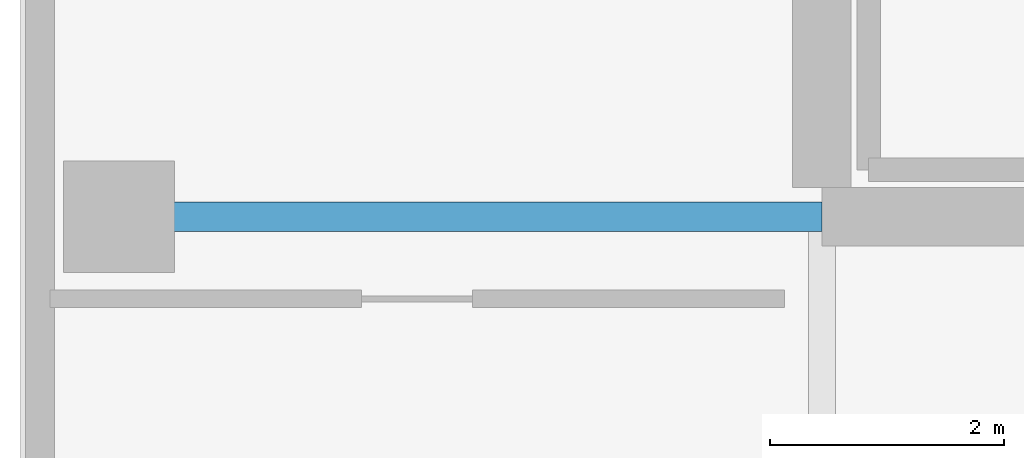
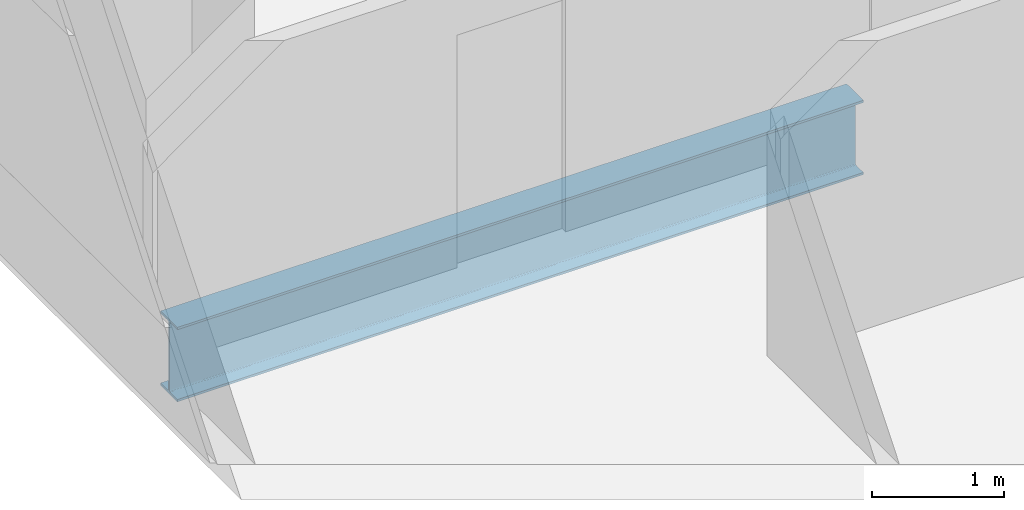
# One storey, part 4 of 39: 1 beam.
"""IFC4 building model written with IfcOpenShell, lengths in metres."""

from ifc_helpers import new_model, si_unit, direction, frame, origin, origin_2d, place, context, subcontext, project, spatial, i_section, extrude, material, material_profile, profile_set, type_object, element, save


model = new_model("IFC4")

# Units and contexts
model_context = context("Model", 3, precision=1e-05, world=origin(), true_north=direction((0.0, 1.0)))
body_context = subcontext(model_context, "Body", "Model", "MODEL_VIEW")
ifc_project = project(units=[si_unit("LENGTHUNIT", "METRE"), si_unit("AREAUNIT", "SQUARE_METRE"), si_unit("VOLUMEUNIT", "CUBIC_METRE"), si_unit("PLANEANGLEUNIT", "RADIAN"), si_unit("MASSUNIT", "GRAM", prefix="KILO")], contexts=[model_context])

# Site, building, storey
site_placement = place(None, origin())
site = spatial("IfcSite", under=ifc_project, at=site_placement, CompositionType="ELEMENT")
building_placement = place(site_placement, origin())
building = spatial("IfcBuilding", under=site, at=building_placement, Name="Tanjung Sevakor Pilgrim Tower", CompositionType="ELEMENT")
storey_placement = place(building_placement, frame((0.0, 0.0, 112.199951171875)))
storey = spatial("IfcBuildingStorey", under=building, at=storey_placement, Name="L31", CompositionType="ELEMENT", Elevation=112.199951171875)

# Beam
ifc_material = material(Name="Steel S355J2", Category="steel")
ifc_material_profile = material_profile(ifc_material, i_section(OverallWidth=0.25439453125, OverallDepth=0.6875, WebThickness=0.01318359375, FlangeThickness=0.02099609375, FilletRadius=0.01513671875, at=origin_2d()))
ifc_profile_set = profile_set([ifc_material_profile], Name="Steel S355J2")
beam_type = type_object("IfcBeamType", Name="BM-B-G2-UB_686x254x152", PredefinedType="BEAM", material=ifc_profile_set)
beam_placement = place(storey_placement, frame((18.0, 24.60009765625, -0.563720703125), z_axis=(1.0, 0.0, 0.0), x_axis=(0.0, 1.0, 0.0)))
element("IfcBeam", 1, at=beam_placement, inside=storey, type_object=beam_type, Name="L31 Primary Floor Girder MAIN Y246-01", PredefinedType="BEAM", context=body_context, shape_type="SweptSolid", body=[
    extrude(i_section(OverallWidth=0.25439453125, OverallDepth=0.6875, WebThickness=0.01318359375, FlangeThickness=0.02099609375, FilletRadius=0.01513671875, at=origin_2d()), origin(), (0.0, 0.0, 1.0), 6.0),
])

save(model, "model.ifc")
